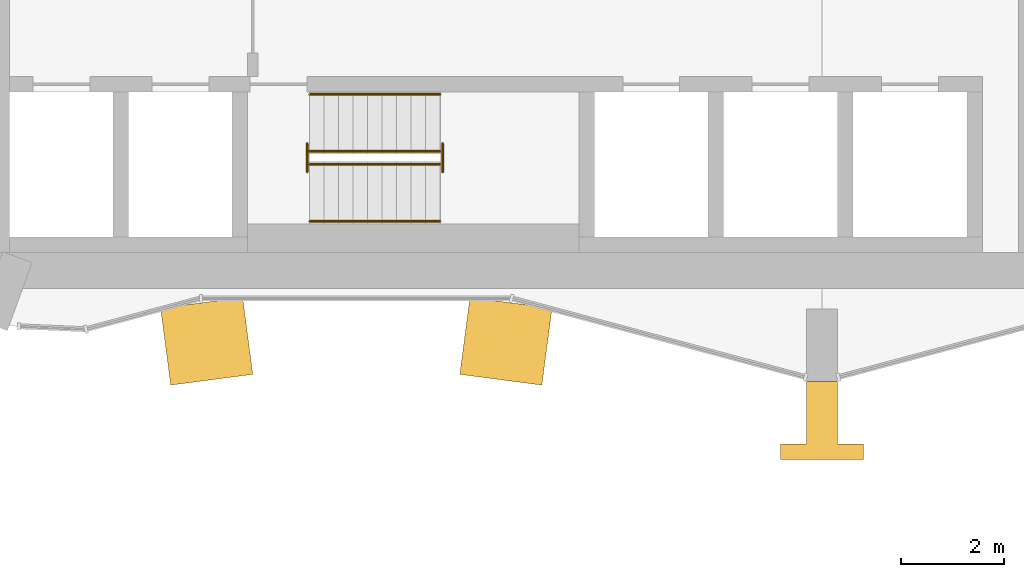
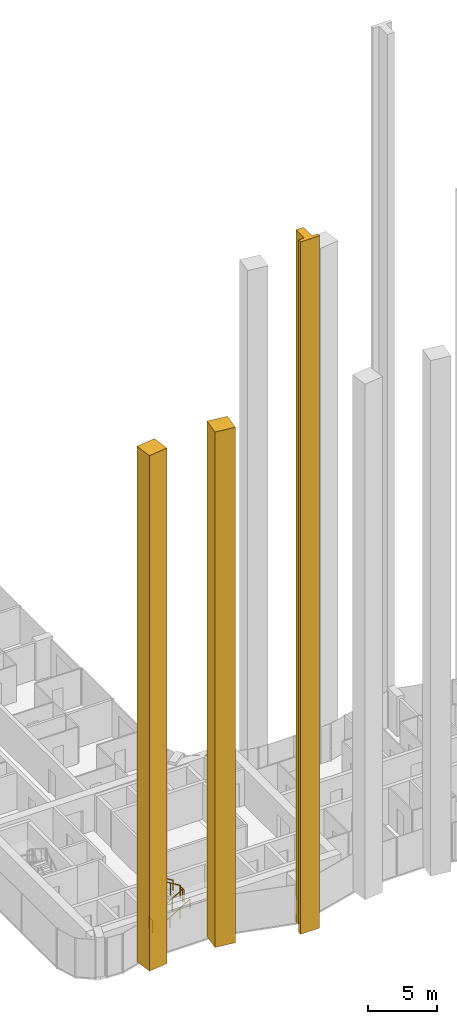
# One storey, part 21 of 27: 6 railings, 3 coverings.
"""IFC4 building model written with IfcOpenShell, lengths in metres."""

import ifcopenshell
import ifcopenshell.guid

model = None  # the IFC model being written
_history = None  # IfcOwnerHistory: only IFC2X3 demands one
_inside = {}  # id of a spatial element -> (the spatial element, [elements in it])
_under = {}  # id of a project, library or spatial element -> (it, [spatial elements below it])
_declared = {}  # id of a project -> (the project, [libraries it declares])
_typed = {}  # id of a type object -> (the type object, [elements of that type])
_made_of = {}  # id of a material, layer set ... -> (it, [elements and type objects made of it])


def new_model(schema):
    """Start an empty IFC model of exactly this schema.

    Asked for "IFC4X3", IfcOpenShell would pick the latest addendum, in which some entities
    have other attributes; the version numbers below select the first issue.
    IFC2X3 requires an IfcOwnerHistory on every rooted entity: one is made here for all.
    """
    global model, _history
    if schema == "IFC4X3":
        model = ifcopenshell.file(schema_version=(4, 3, 0, 0))
    else:
        model = ifcopenshell.file(schema=schema)
    _inside.clear()
    _under.clear()
    _declared.clear()
    _typed.clear()
    _made_of.clear()
    _history = None
    if model.schema == "IFC2X3":
        org = make("IfcOrganization", Name="unknown")
        user = make(
            "IfcPersonAndOrganization",
            ThePerson=make("IfcPerson", FamilyName="unknown"),
            TheOrganization=org,
        )
        app = make(
            "IfcApplication",
            ApplicationDeveloper=org,
            Version="unknown",
            ApplicationFullName="unknown",
            ApplicationIdentifier="unknown",
        )
        _history = make(
            "IfcOwnerHistory",
            OwningUser=user,
            OwningApplication=app,
            ChangeAction="ADDED",
            CreationDate=0,
        )
    return model


def make(cls, **values):
    """One entity of the class cls with the attributes given. An attribute that is None is left unset."""
    return model.create_entity(
        cls, **{name: value for name, value in values.items() if value is not None}
    )


def rooted(cls, **values):
    """An entity with a GlobalId (a new one), such as an element, a storey or a relation."""
    return make(cls, GlobalId=ifcopenshell.guid.new(), OwnerHistory=_history, **values)


def si_unit(unit_type, name, prefix=None):
    """IfcSIUnit, for example si_unit("LENGTHUNIT", "METRE", prefix="MILLI")."""
    return make("IfcSIUnit", UnitType=unit_type, Prefix=prefix, Name=name)


def assignment(units):
    """IfcUnitAssignment: the units of a project."""
    return None if units is None else make("IfcUnitAssignment", Units=units)


def point(xyz):
    """IfcCartesianPoint."""
    return None if xyz is None else make("IfcCartesianPoint", Coordinates=xyz)


def direction(xyz):
    """IfcDirection."""
    return None if xyz is None else make("IfcDirection", DirectionRatios=xyz)


def frame(location, z_axis=None, x_axis=None):
    """IfcAxis2Placement3D, a coordinate frame: its origin and axes. An axis left out is left unset."""
    return make(
        "IfcAxis2Placement3D",
        Location=point(location),
        Axis=direction(z_axis),
        RefDirection=direction(x_axis),
    )


def frame_2d(location, x_axis=None):
    """IfcAxis2Placement2D, a coordinate frame in the plane: its origin and x axis."""
    return make(
        "IfcAxis2Placement2D", Location=point(location), RefDirection=direction(x_axis)
    )


def origin():
    """The frame at (0, 0, 0) with its axes left unset."""
    return frame((0.0, 0.0, 0.0))


def origin_2d():
    """The frame at (0, 0) in the plane with its x axis left unset."""
    return frame_2d((0.0, 0.0))


def place(relative_to, where):
    """IfcLocalPlacement: puts the frame where relative to a parent placement (None: the world)."""
    return make(
        "IfcLocalPlacement", PlacementRelTo=relative_to, RelativePlacement=where
    )


def context(
    kind, dimensions, precision=None, world=None, true_north=None, identifier=None
):
    """IfcGeometricRepresentationContext, for example the 3D "Model" context."""
    return make(
        "IfcGeometricRepresentationContext",
        ContextIdentifier=identifier,
        ContextType=kind,
        CoordinateSpaceDimension=dimensions,
        Precision=precision,
        WorldCoordinateSystem=world,
        TrueNorth=true_north,
    )


def subcontext(parent, identifier, kind, view, scale=None):
    """IfcGeometricRepresentationSubContext, for example "Body" below "Model"."""
    return make(
        "IfcGeometricRepresentationSubContext",
        ContextIdentifier=identifier,
        ContextType=kind,
        ParentContext=parent,
        TargetScale=scale,
        TargetView=view,
    )


def project(units=None, contexts=None):
    """IfcProject with its units and contexts."""
    return rooted(
        "IfcProject",
        Name="project",
        RepresentationContexts=contexts,
        UnitsInContext=assignment(units),
    )


def spatial(cls, under=None, at=None, **own):
    """A site, building, storey or space (cls), placed at a placement, below another one or the project."""
    s = rooted(cls, ObjectPlacement=at, **own)
    if under is not None:
        _under.setdefault(under.id(), (under, []))[1].append(s)
    return s


def polyline(points):
    """IfcPolyline through the points."""
    return make("IfcPolyline", Points=[point(p) for p in points])


def profile(cls, at=None, kind="AREA", **sizes):
    """A parametric profile (cls). Its sizes go by their IFC names, for example OverallWidth=200.0."""
    return make(cls, ProfileType=kind, Position=at, **sizes)


def circle(**sizes):
    """IfcCircleProfileDef."""
    return profile("IfcCircleProfileDef", **sizes)


def outline(outer, holes=None, kind="AREA"):
    """IfcArbitraryClosedProfileDef: a profile drawn as a closed curve; with holes, ...WithVoids."""
    if holes is None:
        return make("IfcArbitraryClosedProfileDef", ProfileType=kind, OuterCurve=outer)
    return make(
        "IfcArbitraryProfileDefWithVoids",
        ProfileType=kind,
        OuterCurve=outer,
        InnerCurves=holes,
    )


def extrude(swept, where, along, depth):
    """IfcExtrudedAreaSolid: the profile swept, set in the frame where, extruded along a direction by depth."""
    return make(
        "IfcExtrudedAreaSolid",
        SweptArea=swept,
        Position=where,
        ExtrudedDirection=direction(along),
        Depth=depth,
    )


def shape(context_of_items, identifier, shape_type, items):
    """IfcShapeRepresentation: the items that make up one representation, for example the "Body"."""
    return make(
        "IfcShapeRepresentation",
        ContextOfItems=context_of_items,
        RepresentationIdentifier=identifier,
        RepresentationType=shape_type,
        Items=items,
    )


def material(Name=None, Category=None):
    """IfcMaterial."""
    return make("IfcMaterial", Name=Name, Category=Category)


def made_of(thing, what):
    """Note that an element or type object is made of a material, layer set ...; save() writes the relation."""
    if what is not None:
        _made_of.setdefault(what.id(), (what, []))[1].append(thing)
    return thing


def type_object(cls, material=None, **own):
    """A type object (cls), such as IfcWallType, which elements share."""
    return made_of(rooted(cls, **own), material)


def element(
    cls,
    number,
    at=None,
    inside=None,
    cuts=None,
    type_object=None,
    material=None,
    context=None,
    identifier="Body",
    shape_type=None,
    held_by="IfcProductDefinitionShape",
    body=None,
    shapes=None,
    **own,
):
    """One element of the class cls, such as IfcWall. Its Tag is "e" and its number.

    at: its placement. inside: the storey or other place that contains it. cuts: it is an
    opening in that element (IfcRelVoidsElement). A single representation is given by context,
    identifier, shape_type and body (its items); several are given by shapes. held_by: the class
    of the entity that holds the representations. save() writes the other relations.
    """
    e = rooted(cls, Tag="e%d" % number, ObjectPlacement=at, **own)
    if body is not None:
        shapes = [shape(context, identifier, shape_type, body)]
    if shapes is not None:
        e.Representation = make(held_by, Representations=shapes)
    if inside is not None:
        _inside.setdefault(inside.id(), (inside, []))[1].append(e)
    if cuts is not None:
        rooted(
            "IfcRelVoidsElement", RelatingBuildingElement=cuts, RelatedOpeningElement=e
        )
    if type_object is not None:
        _typed.setdefault(type_object.id(), (type_object, []))[1].append(e)
    return made_of(e, material)


def aggregate(whole, parts):
    """IfcRelAggregates: a whole, such as a stair, and the parts it consists of."""
    return rooted("IfcRelAggregates", RelatingObject=whole, RelatedObjects=parts)


def save(model, path):
    """Write the relations noted so far, then the file.

    IfcRelAggregates (storeys below a building ...), IfcRelContainedInSpatialStructure (elements
    in a storey), IfcRelDefinesByType, IfcRelAssociatesMaterial and IfcRelDeclares: one each for
    every whole, place, type object, material and project.
    """
    for whole, parts in _under.values():
        aggregate(whole, parts)
    for where, things in _inside.values():
        rooted(
            "IfcRelContainedInSpatialStructure",
            RelatedElements=things,
            RelatingStructure=where,
        )
    for kind, things in _typed.values():
        rooted("IfcRelDefinesByType", RelatedObjects=things, RelatingType=kind)
    for what, things in _made_of.values():
        rooted("IfcRelAssociatesMaterial", RelatedObjects=things, RelatingMaterial=what)
    for by, libraries in _declared.values():
        rooted("IfcRelDeclares", RelatingContext=by, RelatedDefinitions=libraries)
    model.write(path)


model = new_model("IFC4")

# Units and contexts
model_context = context("Model", 3, precision=1e-05, world=origin(), true_north=direction((0.0, 1.0)))
body_context = subcontext(model_context, "Body", "Model", "MODEL_VIEW")
ifc_project = project(units=[si_unit("LENGTHUNIT", "METRE"), si_unit("AREAUNIT", "SQUARE_METRE"), si_unit("VOLUMEUNIT", "CUBIC_METRE"), si_unit("PLANEANGLEUNIT", "RADIAN"), si_unit("MASSUNIT", "GRAM", prefix="KILO")], contexts=[model_context])

# Site, building, storey
site_placement = place(None, origin())
site = spatial("IfcSite", under=ifc_project, at=site_placement, CompositionType="ELEMENT")
building_placement = place(site_placement, origin())
building = spatial("IfcBuilding", under=site, at=building_placement, Name="Plateau Cross Towers", CompositionType="ELEMENT")
storey_placement = place(building_placement, frame((0.0, 0.0, 78.300048828125)))
storey = spatial("IfcBuildingStorey", under=building, at=storey_placement, Name="L19", CompositionType="ELEMENT", Elevation=78.300048828125)

# Coverings
ifc_material_1 = material(Name="Light precast concrete cladding C40/50", Category="concrete")
covering_type_1 = type_object("IfcCoveringType", Name="Flute pier cladding 1600x1500", PredefinedType="CLADDING", material=ifc_material_1)
covering_1_placement = place(storey_placement, origin())
element("IfcCovering", 1, at=covering_1_placement, inside=storey, type_object=covering_type_1, Name="Flute pier", PredefinedType="CLADDING", context=body_context, shape_type="SweptSolid", body=[
    extrude(outline(polyline([(5.2177734375, 1.419677734375), (6.80419921875, 1.62841796875), (6.999755859375, 0.14111328125), (5.41357421875, -0.067626953125), (5.2177734375, 1.419677734375)])), origin(), (0.0, 0.0, 1.0), 45.5),
])
covering_2_placement = place(storey_placement, origin())
element("IfcCovering", 2, at=covering_2_placement, inside=storey, type_object=covering_type_1, Name="Flute pier", PredefinedType="CLADDING", context=body_context, shape_type="SweptSolid", body=[
    extrude(outline(polyline([(11.19580078125, 1.62841796875), (12.7822265625, 1.419677734375), (12.58642578125, -0.067626953125), (11.000244140625, 0.14111328125), (11.19580078125, 1.62841796875)])), origin(), (0.0, 0.0, 1.0), 45.5),
])
covering_type_2 = type_object("IfcCoveringType", Name="Pier fin cladding 1600x1500", PredefinedType="CLADDING", material=ifc_material_1)
covering_3_placement = place(storey_placement, origin())
element("IfcCovering", 3, at=covering_3_placement, inside=storey, type_object=covering_type_2, Name="Pier fin PR1", PredefinedType="CLADDING", context=body_context, shape_type="SweptSolid", body=[
    extrude(outline(polyline([(17.699951171875, 0.0), (18.300048828125, 0.0), (18.300048828125, -1.199951171875), (18.800048828125, -1.199951171875), (18.800048828125, -1.5), (17.199951171875, -1.5), (17.199951171875, -1.199951171875), (17.699951171875, -1.199951171875), (17.699951171875, 0.0)])), origin(), (0.0, 0.0, 1.0), 61.099853515625),
])

# Railings
ifc_material_2 = material(Name="Stainless steel and toughened glass", Category="steel")
railing_type_1 = type_object("IfcRailingType", Name="RL-GUARD-1100", PredefinedType="GUARDRAIL", material=ifc_material_2)
railing_1_placement = place(storey_placement, frame((8.10009765625, 4.199951171875, 0.175048828125)))
element("IfcRailing", 4, at=railing_1_placement, inside=storey, type_object=railing_type_1, Name="L19 ST-2 stair guard 1", PredefinedType="GUARDRAIL", context=body_context, shape_type="SweptSolid", body=[
    extrude(circle(Radius=0.02392578125, at=origin_2d()), frame((0.0, 0.0, 1.076171875), z_axis=(0.848007534815, 0.0, 0.529984170421), x_axis=(0.0, 1.0, 0.0)), (0.0, 0.0, 1.0), 2.9716796875),
    extrude(circle(Radius=0.02099609375, at=origin_2d()), origin(), (0.0, 0.0, 1.0), 1.052001953125),
    extrude(circle(Radius=0.02099609375, at=origin_2d()), frame((0.840087890625, 0.0, 0.52490234375)), (0.0, 0.0, 1.0), 1.052001953125),
    extrude(circle(Radius=0.02099609375, at=origin_2d()), frame((1.679931640625, 0.0, 1.050048828125)), (0.0, 0.0, 1.0), 1.052001953125),
    extrude(circle(Radius=0.02099609375, at=origin_2d()), frame((2.52001953125, 0.0, 1.574951171875)), (0.0, 0.0, 1.0), 1.052001953125),
])
railing_2_placement = place(storey_placement, frame((10.669921875, 4.050048828125, 1.75)))
element("IfcRailing", 5, at=railing_2_placement, inside=storey, type_object=railing_type_1, Name="L19 ST-2 stair guard 2", PredefinedType="GUARDRAIL", context=body_context, shape_type="SweptSolid", body=[
    extrude(circle(Radius=0.02392578125, at=origin_2d()), frame((0.0, 0.0, 1.076171875), z_axis=(0.0, 1.0, 0.0), x_axis=(-1.0, 0.0, 0.0)), (0.0, 0.0, 1.0), 0.550048828125),
    extrude(circle(Radius=0.02099609375, at=origin_2d()), origin(), (0.0, 0.0, 1.0), 1.052001953125),
    extrude(circle(Radius=0.02099609375, at=origin_2d()), frame((0.0, 0.550048828125, 0.0)), (0.0, 0.0, 1.0), 1.052001953125),
])
railing_3_placement = place(storey_placement, frame((10.6201171875, 4.449951171875, 1.925048828125)))
element("IfcRailing", 6, at=railing_3_placement, inside=storey, type_object=railing_type_1, Name="L19 ST-2 stair guard 3", PredefinedType="GUARDRAIL", context=body_context, shape_type="SweptSolid", body=[
    extrude(circle(Radius=0.02392578125, at=origin_2d()), frame((0.0, 0.0, 1.076171875), z_axis=(-0.852638500773, 0.0, 0.522501279423), x_axis=(0.0, -1.0, 0.0)), (0.0, 0.0, 1.0), 3.01416015625),
    extrude(circle(Radius=0.02099609375, at=origin_2d()), origin(), (0.0, 0.0, 1.0), 1.052001953125),
    extrude(circle(Radius=0.02099609375, at=origin_2d()), frame((-0.856689453125, 0.0, 0.52490234375)), (0.0, 0.0, 1.0), 1.052001953125),
    extrude(circle(Radius=0.02099609375, at=origin_2d()), frame((-1.71337890625, 0.0, 1.050048828125)), (0.0, 0.0, 1.0), 1.052001953125),
    extrude(circle(Radius=0.02099609375, at=origin_2d()), frame((-2.570068359375, 0.0, 1.574951171875)), (0.0, 0.0, 1.0), 1.052001953125),
])
railing_4_placement = place(storey_placement, frame((8.050048828125, 4.050048828125, 0.0)))
element("IfcRailing", 7, at=railing_4_placement, inside=storey, type_object=railing_type_1, Name="L19 ST-2 stair guard 4", PredefinedType="GUARDRAIL", context=body_context, shape_type="SweptSolid", body=[
    extrude(circle(Radius=0.02392578125, at=origin_2d()), frame((0.0, 0.0, 1.076171875), z_axis=(0.0, 1.0, 0.0), x_axis=(-1.0, 0.0, 0.0)), (0.0, 0.0, 1.0), 0.550048828125),
    extrude(circle(Radius=0.02099609375, at=origin_2d()), origin(), (0.0, 0.0, 1.0), 1.052001953125),
    extrude(circle(Radius=0.02099609375, at=origin_2d()), frame((0.0, 0.550048828125, 0.0)), (0.0, 0.0, 1.0), 1.052001953125),
])
ifc_material_3 = material(Name="Black anodised aluminium", Category="aluminium")
railing_type_2 = type_object("IfcRailingType", Name="RL-HANDRAIL-900", PredefinedType="HANDRAIL", material=ifc_material_3)
railing_5_placement = place(storey_placement, frame((8.10009765625, 3.10009765625, 0.175048828125)))
element("IfcRailing", 8, at=railing_5_placement, inside=storey, type_object=railing_type_2, Name="L19 ST-2 stair handrail 1", PredefinedType="HANDRAIL", context=body_context, shape_type="SweptSolid", body=[
    extrude(circle(Radius=0.02392578125, at=origin_2d()), frame((0.0, 0.0, 0.8759765625), z_axis=(0.848007534815, 0.0, 0.529984170421), x_axis=(0.0, 1.0, 0.0)), (0.0, 0.0, 1.0), 2.9716796875),
    extrude(circle(Radius=0.02099609375, at=origin_2d()), origin(), (0.0, 0.0, 1.0), 0.851806640625),
    extrude(circle(Radius=0.02099609375, at=origin_2d()), frame((0.840087890625, 0.0, 0.52490234375)), (0.0, 0.0, 1.0), 0.851806640625),
    extrude(circle(Radius=0.02099609375, at=origin_2d()), frame((1.679931640625, 0.0, 1.050048828125)), (0.0, 0.0, 1.0), 0.851806640625),
    extrude(circle(Radius=0.02099609375, at=origin_2d()), frame((2.52001953125, 0.0, 1.574951171875)), (0.0, 0.0, 1.0), 0.851806640625),
])
railing_6_placement = place(storey_placement, frame((10.6201171875, 5.550048828125, 1.925048828125)))
element("IfcRailing", 9, at=railing_6_placement, inside=storey, type_object=railing_type_2, Name="L19 ST-2 stair handrail 2", PredefinedType="HANDRAIL", context=body_context, shape_type="SweptSolid", body=[
    extrude(circle(Radius=0.02392578125, at=origin_2d()), frame((0.0, 0.0, 0.8759765625), z_axis=(-0.848007534815, 0.0, 0.529984170421), x_axis=(0.0, -1.0, 0.0)), (0.0, 0.0, 1.0), 2.9716796875),
    extrude(circle(Radius=0.02099609375, at=origin_2d()), origin(), (0.0, 0.0, 1.0), 0.851806640625),
    extrude(circle(Radius=0.02099609375, at=origin_2d()), frame((-0.840087890625, 0.0, 0.52490234375)), (0.0, 0.0, 1.0), 0.851806640625),
    extrude(circle(Radius=0.02099609375, at=origin_2d()), frame((-1.679931640625, 0.0, 1.050048828125)), (0.0, 0.0, 1.0), 0.851806640625),
    extrude(circle(Radius=0.02099609375, at=origin_2d()), frame((-2.52001953125, 0.0, 1.574951171875)), (0.0, 0.0, 1.0), 0.851806640625),
])

save(model, "model.ifc")
